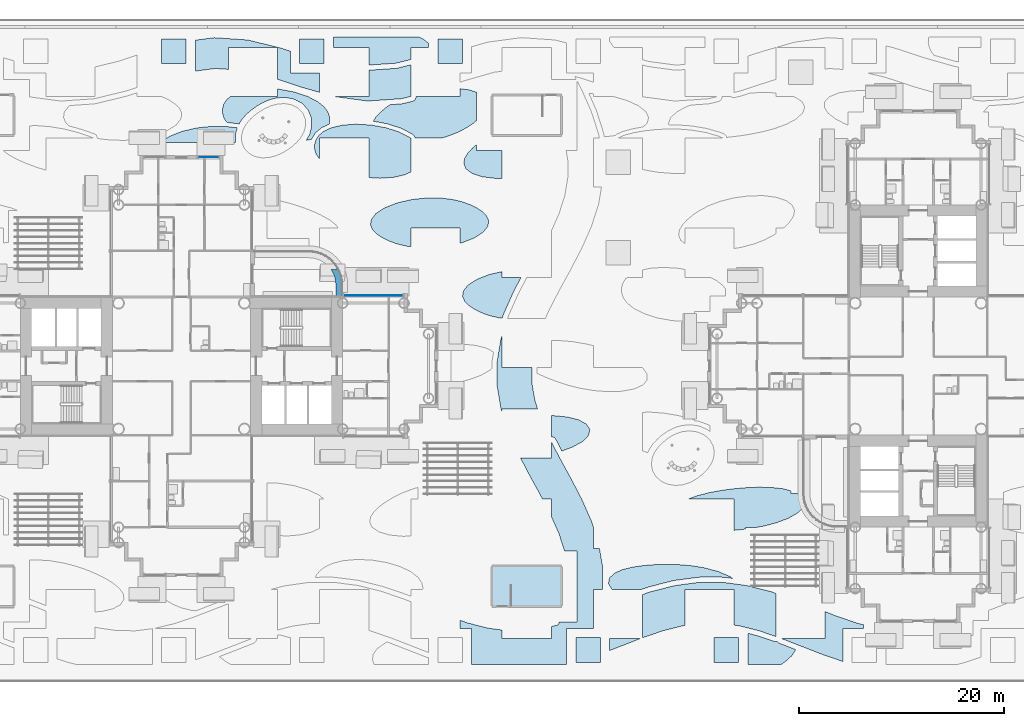
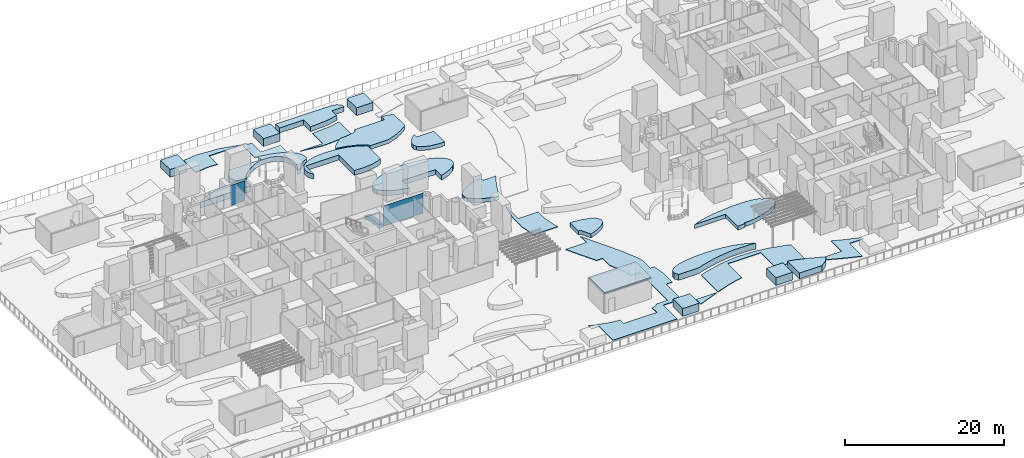
# One storey, part 19 of 40: 26 slabs, 2 plates, 2 elements without a shape of their own.
"""IFC4 building model written with IfcOpenShell, lengths in metres."""

from ifc_helpers import new_model, si_unit, direction, frame, origin, origin_2d, place, context, subcontext, project, spatial, polyline, rectangle, outline, extrude, material, layer, layer_set, type_object, element, aggregate, save


model = new_model("IFC4")

# Units and contexts
model_context = context("Model", 3, precision=1e-05, world=origin(), true_north=direction((0.0, 1.0)))
body_context = subcontext(model_context, "Body", "Model", "MODEL_VIEW")
ifc_project = project(units=[si_unit("LENGTHUNIT", "METRE"), si_unit("AREAUNIT", "SQUARE_METRE"), si_unit("VOLUMEUNIT", "CUBIC_METRE"), si_unit("PLANEANGLEUNIT", "RADIAN"), si_unit("MASSUNIT", "GRAM", prefix="KILO")], contexts=[model_context])

# Site, building, storey
site_placement = place(None, origin())
site = spatial("IfcSite", under=ifc_project, at=site_placement, CompositionType="ELEMENT")
building_placement = place(site_placement, origin())
building = spatial("IfcBuilding", under=site, at=building_placement, Name="Ipe Terrace Towers", CompositionType="ELEMENT")
storey_placement = place(building_placement, frame((0.0, 0.0, 24.5)))
storey = spatial("IfcBuildingStorey", under=building, at=storey_placement, Name="L05", CompositionType="ELEMENT", Elevation=24.5)

# Slabs
ifc_material_1 = material(Name="Concrete C30/37", Category="concrete")
ifc_layer_1 = layer(ifc_material_1, 0.60009765625)
ifc_layer_set_1 = layer_set([ifc_layer_1], Name="CURVED GARDEN BED 600")
slab_type_1 = type_object("IfcSlabType", Name="CURVED GARDEN BED 600", PredefinedType="USERDEFINED", material=ifc_layer_set_1)
slab_1_placement = place(storey_placement, frame((0.0, 0.0, -0.02001953125)))
element("IfcSlab", 1, at=slab_1_placement, inside=storey, type_object=slab_type_1, Name="curved garden bed", ObjectType="PLANTER", PredefinedType="USERDEFINED", context=body_context, shape_type="SweptSolid", body=[
    extrude(outline(polyline([(24.791015625, -13.77197265625), (24.218017578125, -14.361083984375), (23.291015625, -14.888916015625), (22.14501953125, -15.31591796875), (20.9150390625, -15.635009765625), (20.007080078125, -15.800048828125), (19.10009765625, -15.800048828125), (19.10009765625, -15.93408203125), (18.4970703125, -16.011962890625), (17.989990234375, -16.055908203125), (17.989990234375, -13.007080078125), (13.489013671875, -13.007080078125), (14.35498046875, -12.68408203125), (15.5849609375, -12.364990234375), (16.81005859375, -12.14208984375), (18.0029296875, -11.988037109375), (19.180908203125, -11.885009765625), (20.376953125, -11.833984375), (21.592041015625, -11.85693359375), (22.77294921875, -11.986083984375), (23.550048828125, -12.18505859375), (23.550048828125, -12.449951171875), (24.178955078125, -12.449951171875), (24.56396484375, -12.657958984375), (24.912109375, -13.181884765625), (24.791015625, -13.77197265625)])), origin(), (0.0, 0.0, 1.0), 0.60009765625),
])
slab_2_placement = place(storey_placement, frame((0.0, 0.0, -0.02001953125)))
element("IfcSlab", 2, at=slab_2_placement, inside=storey, type_object=slab_type_1, Name="curved garden bed", ObjectType="PLANTER", PredefinedType="USERDEFINED", context=body_context, shape_type="SweptSolid", body=[
    extrude(outline(polyline([(2.81005859375, -5.2509765625), (3.56396484375, -5.657958984375), (3.912109375, -6.181884765625), (3.791015625, -6.77197265625), (3.218017578125, -7.361083984375), (2.291015625, -7.888916015625), (1.179931640625, -8.303955078125), (0.593017578125, -7.177978515625), (0.569091796875, -7.135009765625), (0.5400390625, -7.094970703125), (0.507080078125, -7.05908203125), (0.470947265625, -7.02490234375), (0.430908203125, -6.9951171875), (0.388916015625, -6.969970703125), (0.344970703125, -6.947998046875), (0.299072265625, -6.930908203125), (0.2509765625, -6.9189453125), (0.201904296875, -6.910888671875), (0.153076171875, -6.908935546875), (0.14990234375, -6.908935546875), (0.14990234375, -4.847900390625), (0.592041015625, -4.85693359375), (1.77294921875, -4.986083984375), (2.81005859375, -5.2509765625)])), origin(), (0.0, 0.0, 1.0), 0.60009765625),
])
slab_3_placement = place(storey_placement, frame((0.0, 0.0, -0.02001953125)))
element("IfcSlab", 3, at=slab_3_placement, inside=storey, type_object=slab_type_1, Name="curved garden bed", ObjectType="PLANTER", PredefinedType="USERDEFINED", context=body_context, shape_type="SweptSolid", body=[
    extrude(outline(polyline([(-5.951904296875, 4.947021484375), (-6.72607421875, 5.22998046875), (-7.367919921875, 5.548095703125), (-7.905029296875, 5.904052734375), (-8.31689453125, 6.31689453125), (-8.530029296875, 6.798095703125), (-8.446044921875, 7.343994140625), (-7.985107421875, 7.923095703125), (-7.125, 8.47900390625), (-5.925048828125, 8.947021484375), (-4.64990234375, 9.241943359375), (-4.64990234375, 8.677978515625), (-2.804931640625, 8.677978515625), (-3.5400390625, 7.26611328125), (-3.547119140625, 7.251953125), (-3.593994140625, 7.155029296875), (-3.60009765625, 7.14111328125), (-4.486083984375, 5.14111328125), (-4.49609375, 5.116943359375), (-4.56005859375, 4.948974609375), (-4.569091796875, 4.924072265625), (-4.60791015625, 4.802978515625), (-4.62109375, 4.7548828125), (-4.62890625, 4.7060546875), (-4.631103515625, 4.673095703125), (-4.992919921875, 4.716064453125), (-5.951904296875, 4.947021484375)])), origin(), (0.0, 0.0, 1.0), 0.60009765625),
])
slab_4_placement = place(storey_placement, frame((0.0, 0.0, -0.02001953125)))
element("IfcSlab", 4, at=slab_4_placement, inside=storey, type_object=slab_type_1, Name="curved garden bed", ObjectType="PLANTER", PredefinedType="USERDEFINED", context=body_context, shape_type="SweptSolid", body=[
    extrude(outline(polyline([(-7.60888671875, 18.8369140625), (-8.198974609375, 19.285888671875), (-8.4130859375, 19.7958984375), (-8.322021484375, 20.31591796875), (-8.02001953125, 20.81591796875), (-7.58203125, 21.2919921875), (-7.14990234375, 21.657958984375), (-7.14990234375, 21.050048828125), (-4.64990234375, 21.050048828125), (-4.64990234375, 18.35498046875), (-5.360107421875, 18.343017578125), (-6.638916015625, 18.506103515625), (-7.60888671875, 18.8369140625)])), origin(), (0.0, 0.0, 1.0), 0.60009765625),
])
slab_5_placement = place(storey_placement, frame((0.0, 0.0, -0.02001953125)))
element("IfcSlab", 5, at=slab_5_placement, inside=storey, type_object=slab_type_1, Name="curved garden bed", ObjectType="PLANTER", PredefinedType="USERDEFINED", context=body_context, shape_type="SweptSolid", body=[
    extrude(outline(polyline([(-7.14990234375, 24.010986328125), (-7.465087890625, 23.7451171875), (-8.14990234375, 23.282958984375), (-9.02392578125, 22.827880859375), (-10.12890625, 22.407958984375), (-10.52490234375, 22.306884765625), (-13.174072265625, 22.306884765625), (-13.177978515625, 22.3310546875), (-13.18798828125, 22.368896484375), (-13.200927734375, 22.406005859375), (-13.218017578125, 22.44189453125), (-13.239013671875, 22.47607421875), (-13.262939453125, 22.508056640625), (-13.2890625, 22.537109375), (-13.319091796875, 22.56298828125), (-13.4599609375, 22.677001953125), (-13.492919921875, 22.700927734375), (-13.529052734375, 22.720947265625), (-14.51806640625, 23.22705078125), (-14.547119140625, 23.239990234375), (-14.575927734375, 23.2509765625), (-15.85498046875, 23.6669921875), (-15.905029296875, 23.679931640625), (-17.2529296875, 23.929931640625), (-17.02001953125, 24.31591796875), (-16.58203125, 24.7919921875), (-16.034912109375, 25.2548828125), (-15.594970703125, 25.552001953125), (-14.613037109375, 25.618896484375), (-14.592041015625, 25.62109375), (-14.464111328125, 25.635009765625), (-14.4208984375, 25.64208984375), (-14.294921875, 25.6669921875), (-14.27392578125, 25.672119140625), (-13.450927734375, 25.873046875), (-13.405029296875, 25.886962890625), (-13.361083984375, 25.905029296875), (-13.319091796875, 25.926025390625), (-13.279052734375, 25.951904296875), (-13.241943359375, 25.98193359375), (-13.2080078125, 26.013916015625), (-13.177001953125, 26.050048828125), (-13.14892578125, 26.089111328125), (-13.125, 26.1298828125), (-13.10595703125, 26.174072265625), (-13.090087890625, 26.218017578125), (-13.0791015625, 26.264892578125), (-13.072021484375, 26.31201171875), (-13.071044921875, 26.3359375), (-8.77001953125, 26.3359375), (-8.77001953125, 27.110107421875), (-7.861083984375, 26.993896484375), (-7.14990234375, 26.751953125), (-7.14990234375, 24.010986328125)])), origin(), (0.0, 0.0, 1.0), 0.60009765625),
])
ifc_material_2 = material(Name="Concrete C30/37", Category="concrete")
ifc_layer_2 = layer(ifc_material_2, 0.75)
ifc_layer_set_2 = layer_set([ifc_layer_2], Name="CURVED GARDEN BED 750")
slab_type_2 = type_object("IfcSlabType", Name="CURVED GARDEN BED 750", PredefinedType="USERDEFINED", material=ifc_layer_set_2)
slab_6_placement = place(storey_placement, frame((0.0, 0.0, -0.02001953125)))
element("IfcSlab", 6, at=slab_6_placement, inside=storey, type_object=slab_type_2, Name="curved garden bed", ObjectType="PLANTER", PredefinedType="USERDEFINED", context=body_context, shape_type="SweptSolid", body=[
    extrude(outline(polyline([(-15.72607421875, 12.22998046875), (-16.367919921875, 12.548095703125), (-16.905029296875, 12.904052734375), (-17.31689453125, 13.31689453125), (-17.530029296875, 13.798095703125), (-17.446044921875, 14.343994140625), (-16.985107421875, 14.923095703125), (-16.125, 15.47900390625), (-14.925048828125, 15.947021484375), (-13.511962890625, 16.27392578125), (-12.049072265625, 16.431884765625), (-10.681884765625, 16.424072265625), (-9.507080078125, 16.283935546875), (-8.548095703125, 16.052978515625), (-7.77392578125, 15.77001953125), (-7.132080078125, 15.451904296875), (-6.594970703125, 15.095947265625), (-6.18310546875, 14.68310546875), (-5.969970703125, 14.201904296875), (-6.053955078125, 13.656005859375), (-6.514892578125, 13.076904296875), (-7.375, 12.52099609375), (-8.574951171875, 12.052978515625), (-8.77001953125, 12.008056640625), (-8.77001953125, 13.47900390625), (-13.570068359375, 13.47900390625), (-13.570068359375, 11.666015625), (-13.992919921875, 11.716064453125), (-14.951904296875, 11.947021484375), (-15.72607421875, 12.22998046875)])), origin(), (0.0, 0.0, 1.0), 0.75),
])
slab_7_placement = place(storey_placement, frame((0.0, 0.0, -0.02001953125)))
element("IfcSlab", 7, at=slab_7_placement, inside=storey, type_object=slab_type_2, Name="curved garden bed", ObjectType="PLANTER", PredefinedType="USERDEFINED", context=body_context, shape_type="SweptSolid", body=[
    extrude(outline(polyline([(-22.990966796875, 21.64306640625), (-22.87109375, 22.089111328125), (-22.59912109375, 22.52490234375), (-22.10888671875, 22.94091796875), (-21.3349609375, 23.299072265625), (-20.2548828125, 23.551025390625), (-18.9150390625, 23.64599609375), (-17.43603515625, 23.556884765625), (-15.97802734375, 23.285888671875), (-14.699951171875, 22.8701171875), (-13.7109375, 22.364990234375), (-13.570068359375, 22.251953125), (-13.570068359375, 18.97607421875), (-14.1650390625, 18.700927734375), (-15.2451171875, 18.448974609375), (-16.5849609375, 18.35400390625), (-17.68994140625, 18.4208984375), (-17.68994140625, 22.306884765625), (-22.489990234375, 22.306884765625), (-22.489990234375, 20.219970703125), (-22.8291015625, 20.693115234375), (-22.985107421875, 21.18310546875), (-22.990966796875, 21.64306640625)])), origin(), (0.0, 0.0, 1.0), 0.75),
])
slab_8_placement = place(storey_placement, frame((0.0, 0.0, -0.02001953125)))
element("IfcSlab", 8, at=slab_8_placement, inside=storey, type_object=slab_type_2, Name="curved garden bed", ObjectType="PLANTER", PredefinedType="USERDEFINED", context=body_context, shape_type="SweptSolid", body=[
    extrude(outline(polyline([(-23.699951171875, 26.3701171875), (-22.7109375, 25.864990234375), (-22.0458984375, 25.3291015625), (-21.6708984375, 24.806884765625), (-21.514892578125, 24.31689453125), (-21.509033203125, 23.85693359375), (-21.570068359375, 23.632080078125), (-22.277099609375, 23.303955078125), (-22.30908203125, 23.287109375), (-22.340087890625, 23.26806640625), (-22.367919921875, 23.24609375), (-22.85791015625, 22.830078125), (-22.887939453125, 22.802001953125), (-22.9150390625, 22.77099609375), (-22.93896484375, 22.737060546875), (-23.2109375, 22.300048828125), (-23.22998046875, 22.26611328125), (-23.24609375, 22.22998046875), (-23.258056640625, 22.19189453125), (-23.260986328125, 22.177978515625), (-23.81005859375, 22.050048828125), (-23.51708984375, 22.56591796875), (-23.493896484375, 22.611083984375), (-23.47509765625, 22.656982421875), (-23.4599609375, 22.705078125), (-23.2900390625, 23.327880859375), (-23.277099609375, 23.387939453125), (-23.27001953125, 23.448974609375), (-23.26904296875, 23.510986328125), (-23.297119140625, 24.155029296875), (-23.301025390625, 24.2080078125), (-23.31103515625, 24.260009765625), (-23.323974609375, 24.31103515625), (-23.342041015625, 24.361083984375), (-23.592041015625, 24.958984375), (-23.614990234375, 25.008056640625), (-23.64208984375, 25.054931640625), (-23.674072265625, 25.09912109375), (-23.7099609375, 25.139892578125), (-24.1650390625, 25.6220703125), (-24.214111328125, 25.66796875), (-24.26708984375, 25.708984375), (-24.324951171875, 25.742919921875), (-24.93310546875, 26.05810546875), (-24.986083984375, 26.08203125), (-25.041015625, 26.10107421875), (-25.097900390625, 26.114013671875), (-25.782958984375, 26.242919921875), (-25.85595703125, 26.2529296875), (-25.928955078125, 26.2529296875), (-26.617919921875, 26.212890625), (-26.677001953125, 26.20703125), (-26.735107421875, 26.194091796875), (-27.3759765625, 26.027099609375), (-27.4208984375, 26.012939453125), (-27.464111328125, 25.9970703125), (-28.0390625, 25.7470703125), (-28.10009765625, 25.716064453125), (-28.616943359375, 25.416015625), (-28.6640625, 25.385986328125), (-29.14208984375, 25.044921875), (-29.19091796875, 25.007080078125), (-29.638916015625, 24.612060546875), (-29.697998046875, 24.552001953125), (-30.10107421875, 24.0830078125), (-30.136962890625, 24.037109375), (-30.16796875, 23.988037109375), (-30.363037109375, 23.64501953125), (-30.3779296875, 23.653076171875), (-30.416015625, 23.66796875), (-30.455078125, 23.677978515625), (-30.4951171875, 23.68505859375), (-31.555908203125, 23.81201171875), (-31.8291015625, 24.193115234375), (-31.985107421875, 24.68310546875), (-31.990966796875, 25.14306640625), (-31.87109375, 25.589111328125), (-31.59912109375, 26.02490234375), (-31.23291015625, 26.3359375), (-26.610107421875, 26.3359375), (-26.610107421875, 27.06689453125), (-26.43603515625, 27.056884765625), (-24.97802734375, 26.785888671875), (-23.699951171875, 26.3701171875)])), origin(), (0.0, 0.0, 1.0), 0.75),
])
slab_9_placement = place(storey_placement, frame((0.0, 0.0, -0.02001953125)))
element("IfcSlab", 9, at=slab_9_placement, inside=storey, type_object=slab_type_2, Name="curved garden bed", ObjectType="PLANTER", PredefinedType="USERDEFINED", context=body_context, shape_type="SweptSolid", body=[
    extrude(outline(polyline([(-11.85009765625, 31.135986328125), (-13.570068359375, 31.135986328125), (-13.570068359375, 29.947021484375), (-13.589111328125, 29.947021484375), (-13.639892578125, 29.943115234375), (-13.68896484375, 29.93310546875), (-15.05908203125, 29.597900390625), (-17.68994140625, 29.41796875), (-17.68994140625, 31.135986328125), (-21.14990234375, 31.135986328125), (-21.14990234375, 32.14990234375), (-12.782958984375, 32.14990234375), (-12.35205078125, 31.951904296875), (-11.85009765625, 31.551025390625), (-11.85009765625, 31.135986328125)])), origin(), (0.0, 0.0, 1.0), 0.75),
])
ifc_material_3 = material(Name="Concrete C30/37", Category="concrete")
ifc_layer_3 = layer(ifc_material_3, 0.89990234375)
ifc_layer_set_3 = layer_set([ifc_layer_3], Name="CURVED GARDEN BED 900")
slab_type_3 = type_object("IfcSlabType", Name="CURVED GARDEN BED 900", PredefinedType="USERDEFINED", material=ifc_layer_set_3)
slab_10_placement = place(storey_placement, frame((0.0, 0.0, -0.02001953125)))
element("IfcSlab", 10, at=slab_10_placement, inside=storey, type_object=slab_type_3, Name="curved garden bed", ObjectType="PLANTER", PredefinedType="USERDEFINED", context=body_context, shape_type="SweptSolid", body=[
    extrude(outline(polyline([(23.64794921875, -28.31201171875), (23.1279296875, -28.794921875), (22.638916015625, -29.14990234375), (19.35009765625, -29.14990234375), (19.35009765625, -26.111083984375), (20.320068359375, -26.35693359375), (21.947998046875, -26.9140625), (21.99609375, -26.927978515625), (22.044921875, -26.93701171875), (22.094970703125, -26.94091796875), (22.14501953125, -26.93994140625), (22.195068359375, -26.93408203125), (22.242919921875, -26.923095703125), (22.27099609375, -26.9599609375), (22.304931640625, -26.99609375), (22.342041015625, -27.028076171875), (22.383056640625, -27.056884765625), (22.425048828125, -27.0810546875), (22.470947265625, -27.10107421875), (24.02197265625, -27.705078125), (24.006103515625, -27.79296875), (23.64794921875, -28.31201171875)])), origin(), (0.0, 0.0, 1.0), 0.89990234375),
])
slab_11_placement = place(storey_placement, frame((0.0, 0.0, -0.02001953125)))
element("IfcSlab", 11, at=slab_11_placement, inside=storey, type_object=slab_type_3, Name="curved garden bed", ObjectType="PLANTER", PredefinedType="USERDEFINED", context=body_context, shape_type="SweptSolid", body=[
    extrude(outline(polyline([(6.323974609375, -20.239990234375), (7.118896484375, -19.885986328125), (8.0849609375, -19.64599609375), (9.1259765625, -19.49609375), (10.197998046875, -19.410888671875), (11.31396484375, -19.375), (12.508056640625, -19.39697265625), (13.798095703125, -19.5029296875), (15.14794921875, -19.722900390625), (16.4599609375, -20.076904296875), (17.592041015625, -20.55810546875), (17.873046875, -20.758056640625), (17.134033203125, -20.658935546875), (17.10107421875, -20.655029296875), (16.83203125, -20.636962890625), (16.799072265625, -20.635986328125), (14.681884765625, -20.636962890625), (14.64794921875, -20.637939453125), (14.3798828125, -20.656982421875), (14.346923828125, -20.659912109375), (12.22998046875, -20.947998046875), (12.201904296875, -20.951904296875), (11.97705078125, -20.99609375), (11.949951171875, -21.001953125), (9.8330078125, -21.541015625), (9.81298828125, -21.547119140625), (9.658935546875, -21.593017578125), (9.638916015625, -21.59912109375), (8.949951171875, -21.8359375), (6.0830078125, -21.8359375), (5.73388671875, -21.27294921875), (5.824951171875, -20.7109375), (6.323974609375, -20.239990234375)])), origin(), (0.0, 0.0, 1.0), 0.89990234375),
])
slab_12_placement = place(storey_placement, frame((0.0, 0.0, -0.02001953125)))
element("IfcSlab", 12, at=slab_12_placement, inside=storey, type_object=slab_type_3, Name="curved garden bed", ObjectType="PLANTER", PredefinedType="USERDEFINED", context=body_context, shape_type="SweptSolid", body=[
    extrude(outline(polyline([(-35.925048828125, 22.947021484375), (-34.511962890625, 23.27392578125), (-33.049072265625, 23.431884765625), (-31.681884765625, 23.424072265625), (-30.5419921875, 23.2880859375), (-30.7099609375, 22.672119140625), (-30.722900390625, 22.612060546875), (-30.72998046875, 22.551025390625), (-30.73095703125, 22.489013671875), (-30.702880859375, 21.85009765625), (-38.04296875, 21.85009765625), (-37.985107421875, 21.923095703125), (-37.125, 22.47900390625), (-35.925048828125, 22.947021484375)])), origin(), (0.0, 0.0, 1.0), 0.89990234375),
])
ifc_material_4 = material(Name="Concrete C30/37 paving", Category="concrete")
ifc_layer_4 = layer(ifc_material_4, 0.080078125)
ifc_layer_set_4 = layer_set([ifc_layer_4], Name="GARDEN PAVING 80")
slab_type_4 = type_object("IfcSlabType", Name="GARDEN PAVING 80", PredefinedType="USERDEFINED", material=ifc_layer_set_4)
slab_13_placement = place(storey_placement, frame((0.0, 0.0, -0.02001953125)))
element("IfcSlab", 13, at=slab_13_placement, inside=storey, type_object=slab_type_4, Name="garden paving path", ObjectType="PAVING", PredefinedType="USERDEFINED", context=body_context, shape_type="SweptSolid", body=[
    extrude(outline(polyline([(-8.02392578125, -25.10400390625), (-6.094970703125, -25.60009765625), (-4.64990234375, -25.801025390625), (-4.64990234375, -26.635986328125), (0.14990234375, -26.635986328125), (0.14990234375, -25.455078125), (0.821044921875, -25.285888671875), (0.884033203125, -25.14404296875), (0.929931640625, -25.0), (2.64990234375, -25.0), (2.64990234375, -18.050048828125), (1.428955078125, -18.050048828125), (0.884033203125, -16.35595703125), (0.14990234375, -14.698974609375), (0.14990234375, -13.007080078125), (-0.715087890625, -13.007080078125), (-0.951904296875, -12.551025390625), (-2.0390625, -10.56591796875), (-2.054931640625, -10.534912109375), (-2.865966796875, -8.97900390625), (0.14990234375, -8.97900390625), (0.14990234375, -7.408935546875), (0.951904296875, -8.948974609375), (2.0390625, -10.93408203125), (2.054931640625, -10.965087890625), (3.096923828125, -12.965087890625), (3.14306640625, -13.06201171875), (4.029052734375, -15.06201171875), (4.093017578125, -15.22900390625), (4.27001953125, -15.779052734375), (4.27001953125, -17.806884765625), (4.85205078125, -17.806884765625), (5.133056640625, -19.466064453125), (5.15087890625, -19.60791015625), (5.156982421875, -19.75), (5.156982421875, -21.75), (5.153076171875, -21.8359375), (4.27001953125, -21.8359375), (4.27001953125, -25.64990234375), (1.64990234375, -25.64990234375), (1.64990234375, -29.14990234375), (-7.64990234375, -29.14990234375), (-7.64990234375, -25.64990234375), (-8.77001953125, -25.64990234375), (-8.77001953125, -24.846923828125), (-8.02392578125, -25.10400390625)])), origin(), (0.0, 0.0, 1.0), 0.080078125),
])
slab_14_placement = place(storey_placement, frame((0.0, 0.0, -0.02001953125)))
element("IfcSlab", 14, at=slab_14_placement, inside=storey, type_object=slab_type_4, Name="garden paving path", ObjectType="PAVING", PredefinedType="USERDEFINED", context=body_context, shape_type="SweptSolid", body=[
    extrude(outline(polyline([(-4.737060546875, -4.27099609375), (-4.794921875, -4.033935546875), (-5.133056640625, -2.033935546875), (-5.15087890625, -1.89208984375), (-5.156982421875, -1.75), (-5.156982421875, 0.25), (-5.15087890625, 0.39208984375), (-5.133056640625, 0.533935546875), (-4.794921875, 2.533935546875), (-4.737060546875, 2.77099609375), (-4.64990234375, 3.0400390625), (-4.64990234375, -0.14990234375), (-1.757080078125, -0.14990234375), (-1.757080078125, -1.60693359375), (-1.462890625, -3.345947265625), (-1.195068359375, -4.177978515625), (-4.64990234375, -4.177978515625), (-4.64990234375, -4.5400390625), (-4.737060546875, -4.27099609375)])), origin(), (0.0, 0.0, 1.0), 0.080078125),
])
slab_15_placement = place(storey_placement, frame((0.0, 0.0, -0.02001953125)))
element("IfcSlab", 15, at=slab_15_placement, inside=storey, type_object=slab_type_4, Name="garden paving path", ObjectType="PAVING", PredefinedType="USERDEFINED", context=body_context, shape_type="SweptSolid", body=[
    extrude(outline(polyline([(-14.39306640625, 26.156982421875), (-14.51904296875, 26.132080078125), (-14.64697265625, 26.117919921875), (-17.64697265625, 25.912109375), (-17.799072265625, 25.909912109375), (-17.948974609375, 25.922119140625), (-20.948974609375, 26.323974609375), (-21.0029296875, 26.3359375), (-17.68994140625, 26.3359375), (-17.68994140625, 28.916015625), (-14.98095703125, 29.10205078125), (-13.570068359375, 29.447998046875), (-13.570068359375, 26.35888671875), (-14.39306640625, 26.156982421875)])), origin(), (0.0, 0.0, 1.0), 0.080078125),
])
slab_16_placement = place(storey_placement, frame((0.0, 0.0, -0.02001953125)))
element("IfcSlab", 16, at=slab_16_placement, inside=storey, type_object=slab_type_4, Name="garden paving path", ObjectType="PAVING", PredefinedType="USERDEFINED", context=body_context, shape_type="SweptSolid", body=[
    extrude(outline(polyline([(-24.162109375, 27.22509765625), (-24.217041015625, 27.241943359375), (-26.610107421875, 28.02587890625), (-26.610107421875, 31.135986328125), (-31.409912109375, 31.135986328125), (-31.409912109375, 28.99609375), (-32.700927734375, 29.083984375), (-34.64990234375, 28.822998046875), (-34.64990234375, 31.85009765625), (-32.948974609375, 32.077880859375), (-32.799072265625, 32.090087890625), (-32.64697265625, 32.087890625), (-29.64697265625, 31.882080078125), (-29.51904296875, 31.867919921875), (-29.39306640625, 31.843017578125), (-26.39306640625, 31.10791015625), (-26.282958984375, 31.075927734375), (-25.35009765625, 30.77001953125), (-25.35009765625, 28.64990234375), (-22.489990234375, 28.64990234375), (-22.489990234375, 26.748046875), (-24.162109375, 27.22509765625)])), origin(), (0.0, 0.0, 1.0), 0.080078125),
])
slab_17_placement = place(storey_placement, frame((0.0, 0.0, -0.02001953125)))
element("IfcSlab", 17, at=slab_17_placement, inside=storey, type_object=slab_type_4, Name="garden paving path", ObjectType="PAVING", PredefinedType="USERDEFINED", context=body_context, shape_type="SweptSolid", body=[
    extrude(outline(polyline([(9.802001953125, -22.072021484375), (9.9560546875, -22.02587890625), (12.072998046875, -21.487060546875), (12.297119140625, -21.443115234375), (14.4140625, -21.155029296875), (14.681884765625, -21.136962890625), (16.799072265625, -21.135986328125), (17.06689453125, -21.154052734375), (19.18408203125, -21.43896484375), (19.408935546875, -21.48291015625), (21.52587890625, -22.02099609375), (21.680908203125, -22.06689453125), (22.110107421875, -22.214111328125), (22.110107421875, -26.44091796875), (20.462890625, -25.8779296875), (18.535888671875, -25.387939453125), (17.989990234375, -25.31494140625), (17.989990234375, -21.8359375), (13.18994140625, -21.8359375), (13.18994140625, -25.35888671875), (12.948974609375, -25.39111328125), (11.02197265625, -25.882080078125), (9.070068359375, -26.551025390625), (9.070068359375, -22.322998046875), (9.802001953125, -22.072021484375)])), origin(), (0.0, 0.0, 1.0), 0.080078125),
])
slab_18_placement = place(storey_placement, frame((0.0, 0.0, -0.02001953125)))
element("IfcSlab", 18, at=slab_18_placement, inside=storey, type_object=slab_type_4, Name="garden paving path", ObjectType="PAVING", PredefinedType="USERDEFINED", context=body_context, shape_type="SweptSolid", body=[
    extrude(outline(polyline([(28.069091796875, -24.449951171875), (29.14990234375, -24.819091796875), (29.14990234375, -24.85009765625), (29.241943359375, -24.85009765625), (30.068115234375, -25.132080078125), (30.64990234375, -25.279052734375), (30.64990234375, -25.64990234375), (28.64990234375, -25.64990234375), (28.64990234375, -28.8740234375), (26.738037109375, -28.221923828125), (26.658935546875, -28.193115234375), (24.5419921875, -27.37109375), (22.652099609375, -26.635986328125), (26.909912109375, -26.635986328125), (26.909912109375, -24.0), (28.069091796875, -24.449951171875)])), origin(), (0.0, 0.0, 1.0), 0.080078125),
])
slab_19_placement = place(storey_placement, frame((0.0, 0.0, -0.02001953125)))
element("IfcSlab", 19, at=slab_19_placement, inside=storey, type_object=slab_type_4, Name="garden paving path", ObjectType="PAVING", PredefinedType="USERDEFINED", context=body_context, shape_type="SweptSolid", body=[
    extrude(outline(polyline([(6.94189453125, -27.376953125), (5.85009765625, -27.801025390625), (5.85009765625, -26.635986328125), (8.847900390625, -26.635986328125), (6.94189453125, -27.376953125)])), origin(), (0.0, 0.0, 1.0), 0.080078125),
])
ifc_material_5 = material(Name="Concrete C30/37", Category="concrete")
ifc_layer_5 = layer(ifc_material_5, 0.60009765625)
ifc_layer_set_5 = layer_set([ifc_layer_5], Name="PLANTER TROUGH 550 x 600")
slab_type_5 = type_object("IfcSlabType", Name="PLANTER TROUGH 550 x 600", PredefinedType="USERDEFINED", material=ifc_layer_set_5)
slab_20_placement = place(storey_placement, frame((0.0, 0.0, -0.02001953125)))
element("IfcSlab", 20, at=slab_20_placement, inside=storey, type_object=slab_type_5, Name="planter", ObjectType="PLANTER", PredefinedType="USERDEFINED", context=body_context, shape_type="SweptSolid", body=[
    extrude(outline(polyline([(-21.0009765625, 8.633056640625), (-20.93408203125, 8.2939453125), (-20.909912109375, 7.927978515625), (-20.909912109375, 6.75), (-20.360107421875, 6.75), (-20.360107421875, 7.93701171875), (-20.361083984375, 7.955078125), (-20.385986328125, 8.347900390625), (-20.39111328125, 8.384033203125), (-20.465087890625, 8.758056640625), (-20.47509765625, 8.79296875), (-20.596923828125, 9.154052734375), (-20.611083984375, 9.18701171875), (-20.740966796875, 9.449951171875), (-21.385986328125, 9.449951171875), (-21.264892578125, 9.26904296875), (-21.112060546875, 8.9599609375), (-21.0009765625, 8.633056640625)])), origin(), (0.0, 0.0, 1.0), 0.60009765625),
])
ifc_material_6 = material(Name="Concrete C30/37", Category="concrete")
ifc_layer_6 = layer(ifc_material_6, 0.199951171875)
ifc_layer_set_6 = layer_set([ifc_layer_6], Name="STAIR HEAD ROOF SLAB 200 C30-37")
slab_type_6 = type_object("IfcSlabType", Name="STAIR HEAD ROOF SLAB 200 C30-37", PredefinedType="ROOF", material=ifc_layer_set_6)
slab_21_placement = place(storey_placement, frame((0.0, 0.0, 3.0)))
element("IfcSlab", 21, at=slab_21_placement, inside=storey, type_object=slab_type_6, Name="Stair head roof PS5", PredefinedType="ROOF", context=body_context, shape_type="SweptSolid", body=[
    extrude(outline(polyline([(-5.64990234375, -23.5), (1.14990234375, -23.5), (1.14990234375, -19.550048828125), (-5.64990234375, -19.550048828125), (-5.64990234375, -23.5)])), origin(), (0.0, 0.0, 1.0), 0.199951171875),
])

# Curtain wall, plate
ifc_material_7 = material(Name="Aluminium alloy 6063-T6", Category="aluminium")
ifc_layer_7 = layer(ifc_material_7, 0.320068359375)
ifc_layer_set_7 = layer_set([ifc_layer_7], Name="TOWER UNITISED CURTAIN WALL")
curtain_wall_type = type_object("IfcCurtainWallType", Name="TOWER UNITISED CURTAIN WALL", PredefinedType="NOTDEFINED", material=ifc_layer_set_7)
curtain_wall_1_placement = place(storey_placement, origin())
curtain_wall_1 = element("IfcCurtainWall", 22, at=curtain_wall_1_placement, inside=storey, type_object=curtain_wall_type, Name="T1-CW-L05-30a curtain wall", PredefinedType="NOTDEFINED")
ifc_material_8 = material(Name="Glass, clear laminated", Category="glass")
ifc_layer_8 = layer(ifc_material_8, 0.031982421875)
ifc_layer_set_8 = layer_set([ifc_layer_8], Name="TOWER UNITISED GLASS PANEL 32")
plate_type = type_object("IfcPlateType", Name="TOWER UNITISED GLASS PANEL 32", PredefinedType="CURTAIN_PANEL", material=ifc_layer_set_8)
plate_1_placement = place(storey_placement, frame((-17.24951171875, 6.909912109375, 0.0), z_axis=(0.0, 0.0, 1.0), x_axis=(-1.0, 0.0, 0.0)))
plate_1 = element("IfcPlate", 23, at=plate_1_placement, type_object=plate_type, Name="T1-CW-L05-30a panel 1", PredefinedType="CURTAIN_PANEL", context=body_context, shape_type="SweptSolid", body=[
    extrude(rectangle(XDim=5.759033203125, YDim=0.031982421875, at=origin_2d()), origin(), (0.0, 0.0, 1.0), 3.10009765625),
])
aggregate(curtain_wall_1, [plate_1])

curtain_wall_2_placement = place(storey_placement, origin())
curtain_wall_2 = element("IfcCurtainWall", 24, at=curtain_wall_2_placement, inside=storey, type_object=curtain_wall_type, Name="T1-CW-L05-38a curtain wall", PredefinedType="NOTDEFINED")
plate_2_placement = place(storey_placement, frame((-33.375, 20.409912109375, 0.0), z_axis=(0.0, 0.0, 1.0), x_axis=(-1.0, 0.0, 0.0)))
plate_2 = element("IfcPlate", 25, at=plate_2_placement, type_object=plate_type, Name="T1-CW-L05-38a panel 1", PredefinedType="CURTAIN_PANEL", context=body_context, shape_type="SweptSolid", body=[
    extrude(rectangle(XDim=2.010009765625, YDim=0.031982421875, at=origin_2d()), origin(), (0.0, 0.0, 1.0), 3.10009765625),
])
aggregate(curtain_wall_2, [plate_2])

# Slabs
ifc_material_9 = material(Name="Concrete C30/37", Category="concrete")
ifc_layer_9 = layer(ifc_material_9, 1.199951171875)
ifc_layer_set_9 = layer_set([ifc_layer_9], Name="TREE PIT PLANTER 2400 x 2400 x 1200")
slab_type_7 = type_object("IfcSlabType", Name="TREE PIT PLANTER 2400 x 2400 x 1200", PredefinedType="USERDEFINED", material=ifc_layer_set_9)
slab_22_placement = place(storey_placement, origin())
element("IfcSlab", 26, at=slab_22_placement, inside=storey, type_object=slab_type_7, Name="planter", ObjectType="PLANTER", PredefinedType="USERDEFINED", context=body_context, shape_type="SweptSolid", body=[
    extrude(outline(polyline([(-37.949951171875, 29.550048828125), (-35.550048828125, 29.550048828125), (-35.550048828125, 31.949951171875), (-37.949951171875, 31.949951171875), (-37.949951171875, 29.550048828125)])), origin(), (0.0, 0.0, 1.0), 1.199951171875),
])
slab_23_placement = place(storey_placement, origin())
element("IfcSlab", 27, at=slab_23_placement, inside=storey, type_object=slab_type_7, Name="planter", ObjectType="PLANTER", PredefinedType="USERDEFINED", context=body_context, shape_type="SweptSolid", body=[
    extrude(outline(polyline([(-24.449951171875, 29.550048828125), (-22.050048828125, 29.550048828125), (-22.050048828125, 31.949951171875), (-24.449951171875, 31.949951171875), (-24.449951171875, 29.550048828125)])), origin(), (0.0, 0.0, 1.0), 1.199951171875),
])
slab_24_placement = place(storey_placement, origin())
element("IfcSlab", 28, at=slab_24_placement, inside=storey, type_object=slab_type_7, Name="planter", ObjectType="PLANTER", PredefinedType="USERDEFINED", context=body_context, shape_type="SweptSolid", body=[
    extrude(outline(polyline([(-10.949951171875, 29.550048828125), (-8.550048828125, 29.550048828125), (-8.550048828125, 31.949951171875), (-10.949951171875, 31.949951171875), (-10.949951171875, 29.550048828125)])), origin(), (0.0, 0.0, 1.0), 1.199951171875),
])
slab_25_placement = place(storey_placement, origin())
element("IfcSlab", 29, at=slab_25_placement, inside=storey, type_object=slab_type_7, Name="planter", ObjectType="PLANTER", PredefinedType="USERDEFINED", context=body_context, shape_type="SweptSolid", body=[
    extrude(outline(polyline([(2.550048828125, -28.949951171875), (4.949951171875, -28.949951171875), (4.949951171875, -26.550048828125), (2.550048828125, -26.550048828125), (2.550048828125, -28.949951171875)])), origin(), (0.0, 0.0, 1.0), 1.199951171875),
])
slab_26_placement = place(storey_placement, origin())
element("IfcSlab", 30, at=slab_26_placement, inside=storey, type_object=slab_type_7, Name="planter", ObjectType="PLANTER", PredefinedType="USERDEFINED", context=body_context, shape_type="SweptSolid", body=[
    extrude(outline(polyline([(16.050048828125, -28.949951171875), (18.449951171875, -28.949951171875), (18.449951171875, -26.550048828125), (16.050048828125, -26.550048828125), (16.050048828125, -28.949951171875)])), origin(), (0.0, 0.0, 1.0), 1.199951171875),
])

save(model, "model.ifc")
